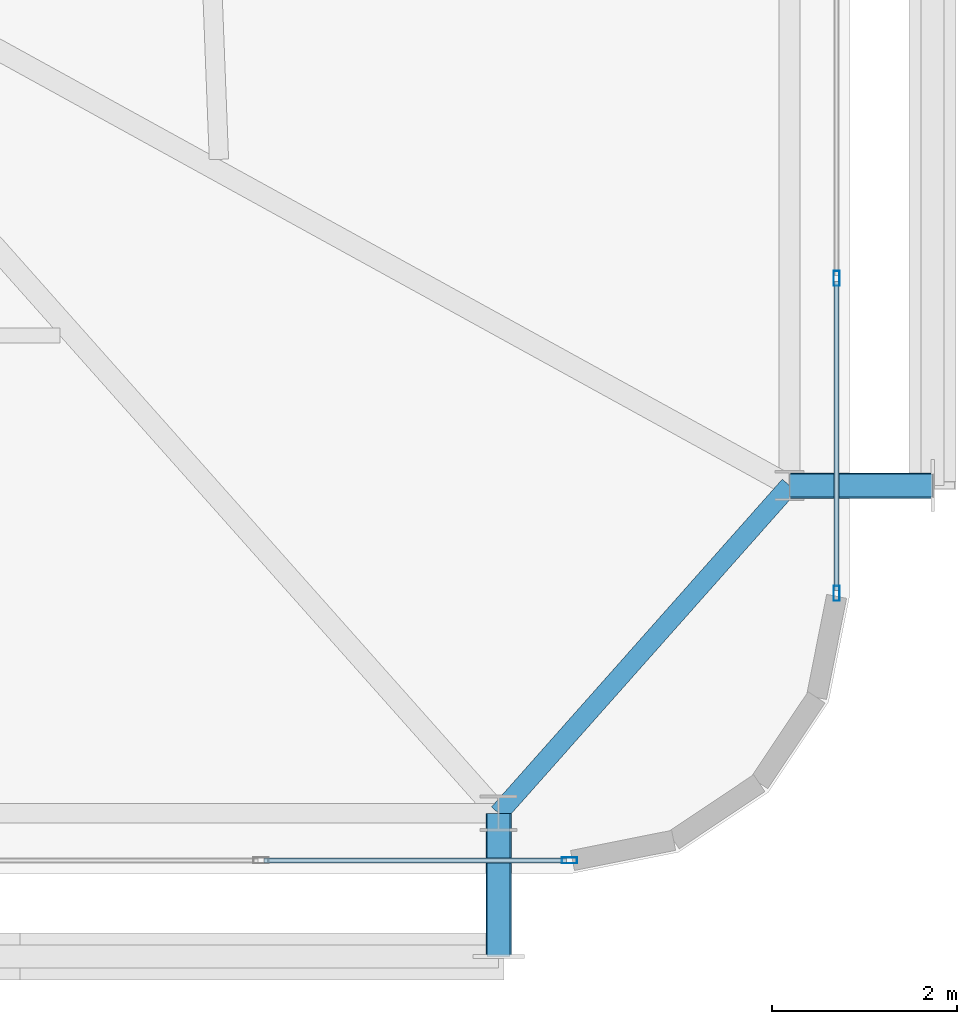
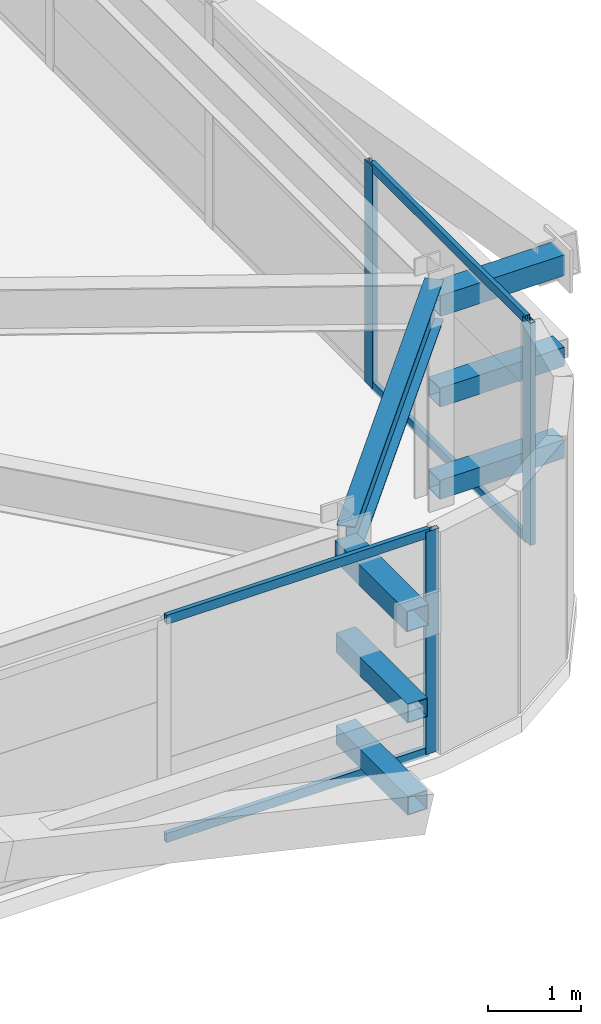
# One storey, part 24 of 59: 13 members, 1 beam, 2 elements without a shape of their own.
"""IFC4 building model written with IfcOpenShell, lengths in metres."""

import ifcopenshell
import ifcopenshell.guid

model = None  # the IFC model being written
_history = None  # IfcOwnerHistory: only IFC2X3 demands one
_inside = {}  # id of a spatial element -> (the spatial element, [elements in it])
_under = {}  # id of a project, library or spatial element -> (it, [spatial elements below it])
_declared = {}  # id of a project -> (the project, [libraries it declares])
_typed = {}  # id of a type object -> (the type object, [elements of that type])
_made_of = {}  # id of a material, layer set ... -> (it, [elements and type objects made of it])


def new_model(schema):
    """Start an empty IFC model of exactly this schema.

    Asked for "IFC4X3", IfcOpenShell would pick the latest addendum, in which some entities
    have other attributes; the version numbers below select the first issue.
    IFC2X3 requires an IfcOwnerHistory on every rooted entity: one is made here for all.
    """
    global model, _history
    if schema == "IFC4X3":
        model = ifcopenshell.file(schema_version=(4, 3, 0, 0))
    else:
        model = ifcopenshell.file(schema=schema)
    _inside.clear()
    _under.clear()
    _declared.clear()
    _typed.clear()
    _made_of.clear()
    _history = None
    if model.schema == "IFC2X3":
        org = make("IfcOrganization", Name="unknown")
        user = make(
            "IfcPersonAndOrganization",
            ThePerson=make("IfcPerson", FamilyName="unknown"),
            TheOrganization=org,
        )
        app = make(
            "IfcApplication",
            ApplicationDeveloper=org,
            Version="unknown",
            ApplicationFullName="unknown",
            ApplicationIdentifier="unknown",
        )
        _history = make(
            "IfcOwnerHistory",
            OwningUser=user,
            OwningApplication=app,
            ChangeAction="ADDED",
            CreationDate=0,
        )
    return model


def make(cls, **values):
    """One entity of the class cls with the attributes given. An attribute that is None is left unset."""
    return model.create_entity(
        cls, **{name: value for name, value in values.items() if value is not None}
    )


def rooted(cls, **values):
    """An entity with a GlobalId (a new one), such as an element, a storey or a relation."""
    return make(cls, GlobalId=ifcopenshell.guid.new(), OwnerHistory=_history, **values)


def si_unit(unit_type, name, prefix=None):
    """IfcSIUnit, for example si_unit("LENGTHUNIT", "METRE", prefix="MILLI")."""
    return make("IfcSIUnit", UnitType=unit_type, Prefix=prefix, Name=name)


def assignment(units):
    """IfcUnitAssignment: the units of a project."""
    return None if units is None else make("IfcUnitAssignment", Units=units)


def point(xyz):
    """IfcCartesianPoint."""
    return None if xyz is None else make("IfcCartesianPoint", Coordinates=xyz)


def direction(xyz):
    """IfcDirection."""
    return None if xyz is None else make("IfcDirection", DirectionRatios=xyz)


def frame(location, z_axis=None, x_axis=None):
    """IfcAxis2Placement3D, a coordinate frame: its origin and axes. An axis left out is left unset."""
    return make(
        "IfcAxis2Placement3D",
        Location=point(location),
        Axis=direction(z_axis),
        RefDirection=direction(x_axis),
    )


def frame_2d(location, x_axis=None):
    """IfcAxis2Placement2D, a coordinate frame in the plane: its origin and x axis."""
    return make(
        "IfcAxis2Placement2D", Location=point(location), RefDirection=direction(x_axis)
    )


def origin():
    """The frame at (0, 0, 0) with its axes left unset."""
    return frame((0.0, 0.0, 0.0))


def origin_2d():
    """The frame at (0, 0) in the plane with its x axis left unset."""
    return frame_2d((0.0, 0.0))


def place(relative_to, where):
    """IfcLocalPlacement: puts the frame where relative to a parent placement (None: the world)."""
    return make(
        "IfcLocalPlacement", PlacementRelTo=relative_to, RelativePlacement=where
    )


def context(
    kind, dimensions, precision=None, world=None, true_north=None, identifier=None
):
    """IfcGeometricRepresentationContext, for example the 3D "Model" context."""
    return make(
        "IfcGeometricRepresentationContext",
        ContextIdentifier=identifier,
        ContextType=kind,
        CoordinateSpaceDimension=dimensions,
        Precision=precision,
        WorldCoordinateSystem=world,
        TrueNorth=true_north,
    )


def subcontext(parent, identifier, kind, view, scale=None):
    """IfcGeometricRepresentationSubContext, for example "Body" below "Model"."""
    return make(
        "IfcGeometricRepresentationSubContext",
        ContextIdentifier=identifier,
        ContextType=kind,
        ParentContext=parent,
        TargetScale=scale,
        TargetView=view,
    )


def project(units=None, contexts=None):
    """IfcProject with its units and contexts."""
    return rooted(
        "IfcProject",
        Name="project",
        RepresentationContexts=contexts,
        UnitsInContext=assignment(units),
    )


def spatial(cls, under=None, at=None, **own):
    """A site, building, storey or space (cls), placed at a placement, below another one or the project."""
    s = rooted(cls, ObjectPlacement=at, **own)
    if under is not None:
        _under.setdefault(under.id(), (under, []))[1].append(s)
    return s


def profile(cls, at=None, kind="AREA", **sizes):
    """A parametric profile (cls). Its sizes go by their IFC names, for example OverallWidth=200.0."""
    return make(cls, ProfileType=kind, Position=at, **sizes)


def hollow_rectangle(**sizes):
    """IfcRectangleHollowProfileDef."""
    return profile("IfcRectangleHollowProfileDef", **sizes)


def i_section(**sizes):
    """IfcIShapeProfileDef."""
    return profile("IfcIShapeProfileDef", **sizes)


def extrude(swept, where, along, depth):
    """IfcExtrudedAreaSolid: the profile swept, set in the frame where, extruded along a direction by depth."""
    return make(
        "IfcExtrudedAreaSolid",
        SweptArea=swept,
        Position=where,
        ExtrudedDirection=direction(along),
        Depth=depth,
    )


def shape(context_of_items, identifier, shape_type, items):
    """IfcShapeRepresentation: the items that make up one representation, for example the "Body"."""
    return make(
        "IfcShapeRepresentation",
        ContextOfItems=context_of_items,
        RepresentationIdentifier=identifier,
        RepresentationType=shape_type,
        Items=items,
    )


def source(mapping_origin, context_of_items, identifier, shape_type, items):
    """IfcRepresentationMap: a shape defined once, which mapped items show again and again."""
    return make(
        "IfcRepresentationMap",
        MappingOrigin=mapping_origin,
        MappedRepresentation=shape(context_of_items, identifier, shape_type, items),
    )


def transform(
    local_origin,
    x_axis=None,
    y_axis=None,
    z_axis=None,
    scale=None,
    scale2=None,
    scale3=None,
    uniform=True,
):
    """IfcCartesianTransformationOperator3D, or its non-uniform kind. x_axis, y_axis, z_axis: its Axis1, 2, 3."""
    if uniform:
        return make(
            "IfcCartesianTransformationOperator3D",
            Axis1=direction(x_axis),
            Axis2=direction(y_axis),
            LocalOrigin=point(local_origin),
            Scale=scale,
            Axis3=direction(z_axis),
        )
    return make(
        "IfcCartesianTransformationOperator3DnonUniform",
        Axis1=direction(x_axis),
        Axis2=direction(y_axis),
        LocalOrigin=point(local_origin),
        Scale=scale,
        Axis3=direction(z_axis),
        Scale2=scale2,
        Scale3=scale3,
    )


def mapped(mapping_source, mapping_target):
    """IfcMappedItem: shows the shape of a source again, moved by a transform."""
    return make(
        "IfcMappedItem", MappingSource=mapping_source, MappingTarget=mapping_target
    )


def material(Name=None, Category=None):
    """IfcMaterial."""
    return make("IfcMaterial", Name=Name, Category=Category)


def layer(
    of_material, thickness, ventilated=None, Name=None, Category=None, Priority=None
):
    """IfcMaterialLayer: one layer of a wall or slab, of a material (None: an air gap)."""
    return make(
        "IfcMaterialLayer",
        Material=of_material,
        LayerThickness=thickness,
        IsVentilated=ventilated,
        Name=Name,
        Category=Category,
        Priority=Priority,
    )


def layer_set(layers, Name=None):
    """IfcMaterialLayerSet."""
    return make("IfcMaterialLayerSet", MaterialLayers=layers, LayerSetName=Name)


def material_profile(
    of_material, cross_section, Name=None, Category=None, Priority=None
):
    """IfcMaterialProfile: a cross section and its material."""
    return make(
        "IfcMaterialProfile",
        Name=Name,
        Material=of_material,
        Profile=cross_section,
        Priority=Priority,
        Category=Category,
    )


def profile_set(profiles, Name=None, composite=None):
    """IfcMaterialProfileSet."""
    return make(
        "IfcMaterialProfileSet",
        Name=Name,
        MaterialProfiles=profiles,
        CompositeProfile=composite,
    )


def made_of(thing, what):
    """Note that an element or type object is made of a material, layer set ...; save() writes the relation."""
    if what is not None:
        _made_of.setdefault(what.id(), (what, []))[1].append(thing)
    return thing


def type_object(cls, material=None, **own):
    """A type object (cls), such as IfcWallType, which elements share."""
    return made_of(rooted(cls, **own), material)


def element(
    cls,
    number,
    at=None,
    inside=None,
    cuts=None,
    type_object=None,
    material=None,
    context=None,
    identifier="Body",
    shape_type=None,
    held_by="IfcProductDefinitionShape",
    body=None,
    shapes=None,
    **own,
):
    """One element of the class cls, such as IfcWall. Its Tag is "e" and its number.

    at: its placement. inside: the storey or other place that contains it. cuts: it is an
    opening in that element (IfcRelVoidsElement). A single representation is given by context,
    identifier, shape_type and body (its items); several are given by shapes. held_by: the class
    of the entity that holds the representations. save() writes the other relations.
    """
    e = rooted(cls, Tag="e%d" % number, ObjectPlacement=at, **own)
    if body is not None:
        shapes = [shape(context, identifier, shape_type, body)]
    if shapes is not None:
        e.Representation = make(held_by, Representations=shapes)
    if inside is not None:
        _inside.setdefault(inside.id(), (inside, []))[1].append(e)
    if cuts is not None:
        rooted(
            "IfcRelVoidsElement", RelatingBuildingElement=cuts, RelatedOpeningElement=e
        )
    if type_object is not None:
        _typed.setdefault(type_object.id(), (type_object, []))[1].append(e)
    return made_of(e, material)


def aggregate(whole, parts):
    """IfcRelAggregates: a whole, such as a stair, and the parts it consists of."""
    return rooted("IfcRelAggregates", RelatingObject=whole, RelatedObjects=parts)


def save(model, path):
    """Write the relations noted so far, then the file.

    IfcRelAggregates (storeys below a building ...), IfcRelContainedInSpatialStructure (elements
    in a storey), IfcRelDefinesByType, IfcRelAssociatesMaterial and IfcRelDeclares: one each for
    every whole, place, type object, material and project.
    """
    for whole, parts in _under.values():
        aggregate(whole, parts)
    for where, things in _inside.values():
        rooted(
            "IfcRelContainedInSpatialStructure",
            RelatedElements=things,
            RelatingStructure=where,
        )
    for kind, things in _typed.values():
        rooted("IfcRelDefinesByType", RelatedObjects=things, RelatingType=kind)
    for what, things in _made_of.values():
        rooted("IfcRelAssociatesMaterial", RelatedObjects=things, RelatingMaterial=what)
    for by, libraries in _declared.values():
        rooted("IfcRelDeclares", RelatingContext=by, RelatedDefinitions=libraries)
    model.write(path)


model = new_model("IFC4")

# Units and contexts
model_context = context("Model", 3, precision=1e-05, world=origin(), true_north=direction((0.0, 1.0)))
body_context = subcontext(model_context, "Body", "Model", "MODEL_VIEW")
ifc_project = project(units=[si_unit("LENGTHUNIT", "METRE"), si_unit("AREAUNIT", "SQUARE_METRE"), si_unit("VOLUMEUNIT", "CUBIC_METRE"), si_unit("PLANEANGLEUNIT", "RADIAN"), si_unit("MASSUNIT", "GRAM", prefix="KILO")], contexts=[model_context])

# Site, building, storey
site_placement = place(None, origin())
site = spatial("IfcSite", under=ifc_project, at=site_placement, CompositionType="ELEMENT")
building_placement = place(site_placement, origin())
building = spatial("IfcBuilding", under=site, at=building_placement, Name="Taldren Reach Tower", CompositionType="ELEMENT")
storey_placement = place(building_placement, frame((0.0, 0.0, 45.14990234375)))
storey = spatial("IfcBuildingStorey", under=building, at=storey_placement, Name="L13", CompositionType="ELEMENT", Elevation=45.14990234375)

# Beam
ifc_material_1 = material(Name="Steel Gr 350 (350PLUS)", Category="steel")
ifc_material_profile_1 = material_profile(ifc_material_1, i_section(OverallWidth=0.208984375, OverallDepth=0.528076171875, WebThickness=0.009521484375, FlangeThickness=0.01318359375, at=origin_2d()), Name="530UB82.0")
ifc_profile_set_1 = profile_set([ifc_material_profile_1], Name="Steel Gr 350 (350PLUS)")
beam_type = type_object("IfcBeamType", Name="SP-UB530B", PredefinedType="SPANDREL", material=ifc_profile_set_1)
shared_shape_1 = source(origin(), body_context, "Body", "SweptSolid", [
    extrude(i_section(OverallWidth=0.208984375, OverallDepth=0.528076171875, WebThickness=0.009521484375, FlangeThickness=0.01318359375, at=origin_2d()), origin(), (0.0, 0.0, 1.0), 4.74609375),
])
beam_placement = place(storey_placement, frame((61.199951171875, 2.14990234375, 2.666015625), z_axis=(0.663721843779, 0.747979487747, 0.0), x_axis=(-0.747979487747, 0.663721843779, 0.0)))
element("IfcBeam", 1, at=beam_placement, inside=storey, type_object=beam_type, Name="Perimeter spandrel B1 S6-E1 L13", PredefinedType="SPANDREL", context=body_context, shape_type="MappedRepresentation", body=[
    mapped(shared_shape_1, transform((0.0, 0.0, 0.0), scale=1.0)),
])

# Members
ifc_material_2 = material(Name="Steel Gr 450 (C450L0)", Category="steel")
ifc_material_profile_2 = material_profile(ifc_material_2, hollow_rectangle(XDim=0.27490234375, YDim=0.27490234375, WallThickness=0.00927734375, at=origin_2d()), Name="275x275x9.3SHS")
ifc_profile_set_2 = profile_set([ifc_material_profile_2], Name="Steel Gr 450 (C450L0)")
member_type_1 = type_object("IfcMemberType", Name="MB-TIE273", PredefinedType="STRUT", material=ifc_profile_set_2)
shared_shape_2 = source(origin(), body_context, "Body", "SweptSolid", [
    extrude(hollow_rectangle(XDim=0.27490234375, YDim=0.27490234375, WallThickness=0.00927734375, at=origin_2d()), origin(), (0.0, 0.0, 1.0), 1.5498046875),
])
for number, where, z_axis, x_axis, name in (
    (2, (61.199951171875, 2.14990234375, 2.650146484375), (0.0, -1.0, 0.0), (1.0, 0.0, 0.0), "Exoskeleton diaphragm tie strut B1-S6 L13"),
    (3, (64.35009765625, 5.699951171875, 2.650146484375), (1.0, 0.0, 0.0), (0.0, 1.0, 0.0), "Exoskeleton diaphragm tie strut B1-E1 L13"),
):
    element("IfcMember", number, at=place(storey_placement, frame(where, z_axis=z_axis, x_axis=x_axis)), inside=storey, type_object=member_type_1, Name=name, PredefinedType="STRUT", context=body_context, shape_type="MappedRepresentation", body=[
        mapped(shared_shape_2, transform((0.0, 0.0, 0.0), scale=1.0)),
    ])
ifc_material_3 = material(Name="Steel Gr 350 (C350L0)", Category="steel")
ifc_material_profile_3 = material_profile(ifc_material_3, hollow_rectangle(XDim=0.25, YDim=0.25, WallThickness=0.010009765625, at=origin_2d()), Name="250x250x10.0SHS")
ifc_profile_set_3 = profile_set([ifc_material_profile_3], Name="Steel Gr 350 (C350L0)")
member_type_2 = type_object("IfcMemberType", Name="MB-POST250", PredefinedType="POST", material=ifc_profile_set_3)
shared_shape_3 = source(origin(), body_context, "Body", "SweptSolid", [
    extrude(hollow_rectangle(XDim=0.25, YDim=0.25, WallThickness=0.010009765625, at=origin_2d()), origin(), (0.0, 0.0, 1.0), 1.5498046875),
])
for number, where, z_axis, x_axis, name in (
    (4, (61.199951171875, 2.14990234375, 0.22021484375), (0.0, -1.0, 0.0), (1.0, 0.0, 0.0), "Exoskeleton base diaphragm tie strut B1-S6 L13"),
    (5, (64.35009765625, 5.699951171875, 0.22021484375), (1.0, 0.0, 0.0), (0.0, 1.0, 0.0), "Exoskeleton base diaphragm tie strut B1-E1 L13"),
    (6, (61.199951171875, 2.14990234375, 1.43505859375), (0.0, -1.0, 0.0), (1.0, 0.0, 0.0), "Exoskeleton mid-tier diaphragm tie B1-S6 L13"),
    (7, (64.35009765625, 5.699951171875, 1.43505859375), (1.0, 0.0, 0.0), (0.0, 1.0, 0.0), "Exoskeleton mid-tier diaphragm tie B1-E1 L13"),
):
    element("IfcMember", number, at=place(storey_placement, frame(where, z_axis=z_axis, x_axis=x_axis)), inside=storey, type_object=member_type_2, Name=name, PredefinedType="POST", context=body_context, shape_type="MappedRepresentation", body=[
        mapped(shared_shape_3, transform((0.0, 0.0, 0.0), scale=1.0)),
    ])

# Curtain wall, members
ifc_material_4 = material(Name="Aluminium and Low-E Glass Unitised System", Category="aluminium")
ifc_layer = layer(ifc_material_4, 0.159912109375)
ifc_layer_set = layer_set([ifc_layer], Name="Aluminium and Low-E Glass Unitised System")
curtain_wall_type = type_object("IfcCurtainWallType", Name="CW-SYS-2", PredefinedType="NOTDEFINED", material=ifc_layer_set)
curtain_wall_1_placement = place(storey_placement, origin())
curtain_wall_1 = element("IfcCurtainWall", 8, at=curtain_wall_1_placement, inside=storey, type_object=curtain_wall_type, Name="Unitised curtain wall CW-L13-S", PredefinedType="NOTDEFINED")
ifc_material_5 = material(Name="Anodised Aluminium 6063-T6", Category="aluminium")
ifc_material_profile_4 = material_profile(ifc_material_5, hollow_rectangle(XDim=0.054931640625, YDim=0.1201171875, WallThickness=0.0029296875, at=origin_2d()), Name="ALU-120x55x3RHS")
ifc_profile_set_4 = profile_set([ifc_material_profile_4], Name="Anodised Aluminium 6063-T6")
member_type_3 = type_object("IfcMemberType", Name="CW-TRN-135", PredefinedType="USERDEFINED", material=ifc_profile_set_4)
shared_shape_4 = source(origin(), body_context, "Body", "SweptSolid", [
    extrude(hollow_rectangle(XDim=0.054931640625, YDim=0.1201171875, WallThickness=0.0029296875, at=origin_2d()), origin(), (0.0, 0.0, 1.0), 3.277587890625),
])
member_1_placement = place(storey_placement, frame((58.657470703125, 1.639892578125, 0.027587890625), z_axis=(1.0, 0.0, 0.0), x_axis=(0.0, 1.0, 0.0)))
member_1 = element("IfcMember", 9, at=member_1_placement, type_object=member_type_3, Name="CW-2 transom 16.1", ObjectType="TRANSOM", PredefinedType="USERDEFINED", context=body_context, shape_type="MappedRepresentation", body=[
    mapped(shared_shape_4, transform((0.0, 0.0, 0.0), scale=1.0)),
])
member_2_placement = place(storey_placement, frame((58.657470703125, 1.639892578125, 2.902587890625), z_axis=(1.0, 0.0, 0.0), x_axis=(0.0, 1.0, 0.0)))
member_2 = element("IfcMember", 10, at=member_2_placement, type_object=member_type_3, Name="CW-2 transom 16.2", ObjectType="TRANSOM", PredefinedType="USERDEFINED", context=body_context, shape_type="MappedRepresentation", body=[
    mapped(shared_shape_4, transform((0.0, 0.0, 0.0), scale=1.0)),
])

curtain_wall_2_placement = place(storey_placement, origin())
curtain_wall_2 = element("IfcCurtainWall", 11, at=curtain_wall_2_placement, inside=storey, type_object=curtain_wall_type, Name="Unitised curtain wall CW-L13-E", PredefinedType="NOTDEFINED")
shared_shape_5 = source(origin(), body_context, "Body", "SweptSolid", [
    extrude(hollow_rectangle(XDim=0.054931640625, YDim=0.1201171875, WallThickness=0.0029296875, at=origin_2d()), origin(), (0.0, 0.0, 1.0), 3.346923828125),
])
member_3_placement = place(storey_placement, frame((64.860107421875, 4.56494140625, 0.027587890625), z_axis=(0.0, 1.0, 0.0), x_axis=(-1.0, 0.0, 0.0)))
member_3 = element("IfcMember", 12, at=member_3_placement, type_object=member_type_3, Name="CW-2 transom 1.1", ObjectType="TRANSOM", PredefinedType="USERDEFINED", context=body_context, shape_type="MappedRepresentation", body=[
    mapped(shared_shape_5, transform((0.0, 0.0, 0.0), scale=1.0)),
])
member_4_placement = place(storey_placement, frame((64.860107421875, 4.56494140625, 2.902587890625), z_axis=(0.0, 1.0, 0.0), x_axis=(-1.0, 0.0, 0.0)))
member_4 = element("IfcMember", 13, at=member_4_placement, type_object=member_type_3, Name="CW-2 transom 1.2", ObjectType="TRANSOM", PredefinedType="USERDEFINED", context=body_context, shape_type="MappedRepresentation", body=[
    mapped(shared_shape_5, transform((0.0, 0.0, 0.0), scale=1.0)),
])

# Member
ifc_material_profile_5 = material_profile(ifc_material_5, hollow_rectangle(XDim=0.06494140625, YDim=0.1650390625, WallThickness=0.00390625, at=origin_2d()), Name="ALU-165x65x4RHS")
ifc_profile_set_5 = profile_set([ifc_material_profile_5], Name="Anodised Aluminium 6063-T6")
member_type_4 = type_object("IfcMemberType", Name="CW-MUL-165", PredefinedType="MULLION", material=ifc_profile_set_5)
shared_shape_6 = source(origin(), body_context, "Body", "SweptSolid", [
    extrude(hollow_rectangle(XDim=0.06494140625, YDim=0.1650390625, WallThickness=0.00390625, at=origin_2d()), origin(), (0.0, 0.0, 1.0), 2.93017578125),
])
member_5_placement = place(storey_placement, frame((61.967529296875, 1.639892578125, 0.0), z_axis=(0.0, 0.0, 1.0), x_axis=(0.0, 1.0, 0.0)))
member_5 = element("IfcMember", 14, at=member_5_placement, type_object=member_type_4, Name="CW-2 mullion 17", PredefinedType="MULLION", context=body_context, shape_type="MappedRepresentation", body=[
    mapped(shared_shape_6, transform((0.0, 0.0, 0.0), scale=1.0)),
])

aggregate(curtain_wall_1, [member_5, member_1, member_2])

member_6_placement = place(storey_placement, frame((64.860107421875, 4.532470703125, 0.0), z_axis=(0.0, 0.0, 1.0), x_axis=(-1.0, 0.0, 0.0)))
member_6 = element("IfcMember", 15, at=member_6_placement, type_object=member_type_4, Name="CW-2 mullion 1", PredefinedType="MULLION", context=body_context, shape_type="MappedRepresentation", body=[
    mapped(shared_shape_6, transform((0.0, 0.0, 0.0), scale=1.0)),
])

member_7_placement = place(storey_placement, frame((64.860107421875, 7.9443359375, 0.0), z_axis=(0.0, 0.0, 1.0), x_axis=(-1.0, 0.0, 0.0)))
member_7 = element("IfcMember", 16, at=member_7_placement, type_object=member_type_4, Name="CW-2 mullion 2", PredefinedType="MULLION", context=body_context, shape_type="MappedRepresentation", body=[
    mapped(shared_shape_6, transform((0.0, 0.0, 0.0), scale=1.0)),
])

aggregate(curtain_wall_2, [member_6, member_7, member_3, member_4])

save(model, "model.ifc")
